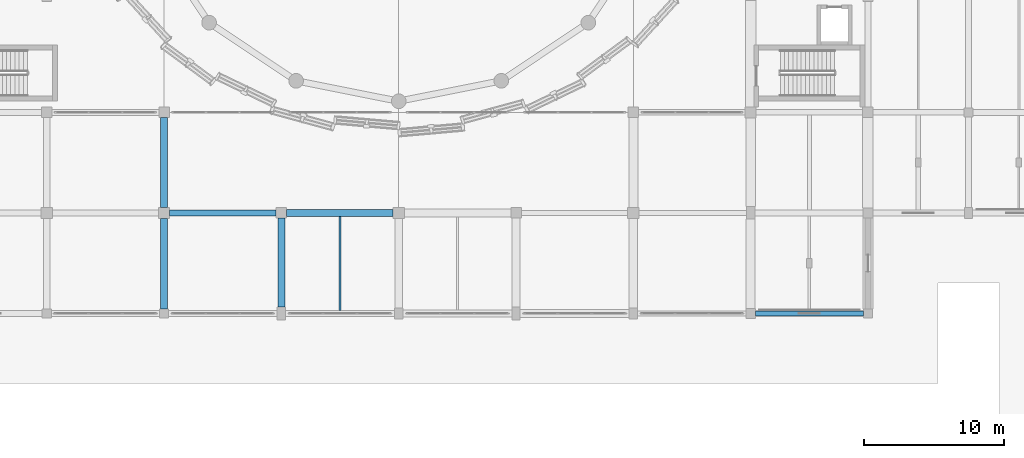
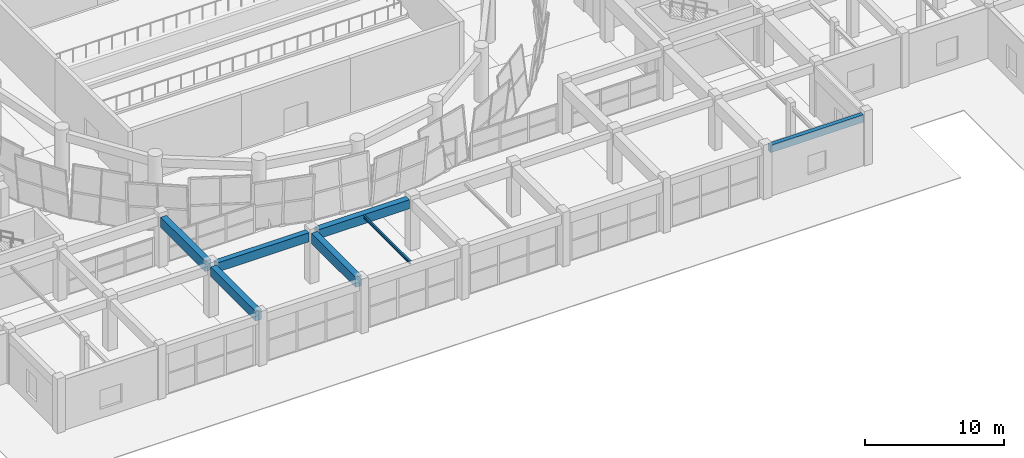
# One storey, part 18 of 72: 7 beams.
"""IFC4 building model written with IfcOpenShell, lengths in metres."""

import ifcopenshell
import ifcopenshell.guid

model = None  # the IFC model being written
_history = None  # IfcOwnerHistory: only IFC2X3 demands one
_inside = {}  # id of a spatial element -> (the spatial element, [elements in it])
_under = {}  # id of a project, library or spatial element -> (it, [spatial elements below it])
_declared = {}  # id of a project -> (the project, [libraries it declares])
_typed = {}  # id of a type object -> (the type object, [elements of that type])
_made_of = {}  # id of a material, layer set ... -> (it, [elements and type objects made of it])


def new_model(schema):
    """Start an empty IFC model of exactly this schema.

    Asked for "IFC4X3", IfcOpenShell would pick the latest addendum, in which some entities
    have other attributes; the version numbers below select the first issue.
    IFC2X3 requires an IfcOwnerHistory on every rooted entity: one is made here for all.
    """
    global model, _history
    if schema == "IFC4X3":
        model = ifcopenshell.file(schema_version=(4, 3, 0, 0))
    else:
        model = ifcopenshell.file(schema=schema)
    _inside.clear()
    _under.clear()
    _declared.clear()
    _typed.clear()
    _made_of.clear()
    _history = None
    if model.schema == "IFC2X3":
        org = make("IfcOrganization", Name="unknown")
        user = make(
            "IfcPersonAndOrganization",
            ThePerson=make("IfcPerson", FamilyName="unknown"),
            TheOrganization=org,
        )
        app = make(
            "IfcApplication",
            ApplicationDeveloper=org,
            Version="unknown",
            ApplicationFullName="unknown",
            ApplicationIdentifier="unknown",
        )
        _history = make(
            "IfcOwnerHistory",
            OwningUser=user,
            OwningApplication=app,
            ChangeAction="ADDED",
            CreationDate=0,
        )
    return model


def make(cls, **values):
    """One entity of the class cls with the attributes given. An attribute that is None is left unset."""
    return model.create_entity(
        cls, **{name: value for name, value in values.items() if value is not None}
    )


def rooted(cls, **values):
    """An entity with a GlobalId (a new one), such as an element, a storey or a relation."""
    return make(cls, GlobalId=ifcopenshell.guid.new(), OwnerHistory=_history, **values)


def si_unit(unit_type, name, prefix=None):
    """IfcSIUnit, for example si_unit("LENGTHUNIT", "METRE", prefix="MILLI")."""
    return make("IfcSIUnit", UnitType=unit_type, Prefix=prefix, Name=name)


def assignment(units):
    """IfcUnitAssignment: the units of a project."""
    return None if units is None else make("IfcUnitAssignment", Units=units)


def point(xyz):
    """IfcCartesianPoint."""
    return None if xyz is None else make("IfcCartesianPoint", Coordinates=xyz)


def direction(xyz):
    """IfcDirection."""
    return None if xyz is None else make("IfcDirection", DirectionRatios=xyz)


def frame(location, z_axis=None, x_axis=None):
    """IfcAxis2Placement3D, a coordinate frame: its origin and axes. An axis left out is left unset."""
    return make(
        "IfcAxis2Placement3D",
        Location=point(location),
        Axis=direction(z_axis),
        RefDirection=direction(x_axis),
    )


def frame_2d(location, x_axis=None):
    """IfcAxis2Placement2D, a coordinate frame in the plane: its origin and x axis."""
    return make(
        "IfcAxis2Placement2D", Location=point(location), RefDirection=direction(x_axis)
    )


def origin():
    """The frame at (0, 0, 0) with its axes left unset."""
    return frame((0.0, 0.0, 0.0))


def origin_2d():
    """The frame at (0, 0) in the plane with its x axis left unset."""
    return frame_2d((0.0, 0.0))


def place(relative_to, where):
    """IfcLocalPlacement: puts the frame where relative to a parent placement (None: the world)."""
    return make(
        "IfcLocalPlacement", PlacementRelTo=relative_to, RelativePlacement=where
    )


def context(
    kind, dimensions, precision=None, world=None, true_north=None, identifier=None
):
    """IfcGeometricRepresentationContext, for example the 3D "Model" context."""
    return make(
        "IfcGeometricRepresentationContext",
        ContextIdentifier=identifier,
        ContextType=kind,
        CoordinateSpaceDimension=dimensions,
        Precision=precision,
        WorldCoordinateSystem=world,
        TrueNorth=true_north,
    )


def subcontext(parent, identifier, kind, view, scale=None):
    """IfcGeometricRepresentationSubContext, for example "Body" below "Model"."""
    return make(
        "IfcGeometricRepresentationSubContext",
        ContextIdentifier=identifier,
        ContextType=kind,
        ParentContext=parent,
        TargetScale=scale,
        TargetView=view,
    )


def project(units=None, contexts=None):
    """IfcProject with its units and contexts."""
    return rooted(
        "IfcProject",
        Name="project",
        RepresentationContexts=contexts,
        UnitsInContext=assignment(units),
    )


def spatial(cls, under=None, at=None, **own):
    """A site, building, storey or space (cls), placed at a placement, below another one or the project."""
    s = rooted(cls, ObjectPlacement=at, **own)
    if under is not None:
        _under.setdefault(under.id(), (under, []))[1].append(s)
    return s


def profile(cls, at=None, kind="AREA", **sizes):
    """A parametric profile (cls). Its sizes go by their IFC names, for example OverallWidth=200.0."""
    return make(cls, ProfileType=kind, Position=at, **sizes)


def rectangle(**sizes):
    """IfcRectangleProfileDef."""
    return profile("IfcRectangleProfileDef", **sizes)


def i_section(**sizes):
    """IfcIShapeProfileDef."""
    return profile("IfcIShapeProfileDef", **sizes)


def extrude(swept, where, along, depth):
    """IfcExtrudedAreaSolid: the profile swept, set in the frame where, extruded along a direction by depth."""
    return make(
        "IfcExtrudedAreaSolid",
        SweptArea=swept,
        Position=where,
        ExtrudedDirection=direction(along),
        Depth=depth,
    )


def shape(context_of_items, identifier, shape_type, items):
    """IfcShapeRepresentation: the items that make up one representation, for example the "Body"."""
    return make(
        "IfcShapeRepresentation",
        ContextOfItems=context_of_items,
        RepresentationIdentifier=identifier,
        RepresentationType=shape_type,
        Items=items,
    )


def material(Name=None, Category=None):
    """IfcMaterial."""
    return make("IfcMaterial", Name=Name, Category=Category)


def material_profile(
    of_material, cross_section, Name=None, Category=None, Priority=None
):
    """IfcMaterialProfile: a cross section and its material."""
    return make(
        "IfcMaterialProfile",
        Name=Name,
        Material=of_material,
        Profile=cross_section,
        Priority=Priority,
        Category=Category,
    )


def profile_set(profiles, Name=None, composite=None):
    """IfcMaterialProfileSet."""
    return make(
        "IfcMaterialProfileSet",
        Name=Name,
        MaterialProfiles=profiles,
        CompositeProfile=composite,
    )


def made_of(thing, what):
    """Note that an element or type object is made of a material, layer set ...; save() writes the relation."""
    if what is not None:
        _made_of.setdefault(what.id(), (what, []))[1].append(thing)
    return thing


def type_object(cls, material=None, **own):
    """A type object (cls), such as IfcWallType, which elements share."""
    return made_of(rooted(cls, **own), material)


def element(
    cls,
    number,
    at=None,
    inside=None,
    cuts=None,
    type_object=None,
    material=None,
    context=None,
    identifier="Body",
    shape_type=None,
    held_by="IfcProductDefinitionShape",
    body=None,
    shapes=None,
    **own,
):
    """One element of the class cls, such as IfcWall. Its Tag is "e" and its number.

    at: its placement. inside: the storey or other place that contains it. cuts: it is an
    opening in that element (IfcRelVoidsElement). A single representation is given by context,
    identifier, shape_type and body (its items); several are given by shapes. held_by: the class
    of the entity that holds the representations. save() writes the other relations.
    """
    e = rooted(cls, Tag="e%d" % number, ObjectPlacement=at, **own)
    if body is not None:
        shapes = [shape(context, identifier, shape_type, body)]
    if shapes is not None:
        e.Representation = make(held_by, Representations=shapes)
    if inside is not None:
        _inside.setdefault(inside.id(), (inside, []))[1].append(e)
    if cuts is not None:
        rooted(
            "IfcRelVoidsElement", RelatingBuildingElement=cuts, RelatedOpeningElement=e
        )
    if type_object is not None:
        _typed.setdefault(type_object.id(), (type_object, []))[1].append(e)
    return made_of(e, material)


def aggregate(whole, parts):
    """IfcRelAggregates: a whole, such as a stair, and the parts it consists of."""
    return rooted("IfcRelAggregates", RelatingObject=whole, RelatedObjects=parts)


def save(model, path):
    """Write the relations noted so far, then the file.

    IfcRelAggregates (storeys below a building ...), IfcRelContainedInSpatialStructure (elements
    in a storey), IfcRelDefinesByType, IfcRelAssociatesMaterial and IfcRelDeclares: one each for
    every whole, place, type object, material and project.
    """
    for whole, parts in _under.values():
        aggregate(whole, parts)
    for where, things in _inside.values():
        rooted(
            "IfcRelContainedInSpatialStructure",
            RelatedElements=things,
            RelatingStructure=where,
        )
    for kind, things in _typed.values():
        rooted("IfcRelDefinesByType", RelatedObjects=things, RelatingType=kind)
    for what, things in _made_of.values():
        rooted("IfcRelAssociatesMaterial", RelatedObjects=things, RelatingMaterial=what)
    for by, libraries in _declared.values():
        rooted("IfcRelDeclares", RelatingContext=by, RelatedDefinitions=libraries)
    model.write(path)


model = new_model("IFC4")

# Units and contexts
model_context = context("Model", 3, precision=1e-05, world=origin(), true_north=direction((0.0, 1.0)))
body_context = subcontext(model_context, "Body", "Model", "MODEL_VIEW")
ifc_project = project(units=[si_unit("LENGTHUNIT", "METRE"), si_unit("AREAUNIT", "SQUARE_METRE"), si_unit("VOLUMEUNIT", "CUBIC_METRE"), si_unit("PLANEANGLEUNIT", "RADIAN"), si_unit("MASSUNIT", "GRAM", prefix="KILO")], contexts=[model_context])

# Site, building, storey
site_placement = place(None, origin())
site = spatial("IfcSite", under=ifc_project, at=site_placement, CompositionType="ELEMENT")
building_placement = place(site_placement, origin())
building = spatial("IfcBuilding", under=site, at=building_placement, Name="Korsvaeld Concert Hall", CompositionType="ELEMENT")
storey_placement = place(building_placement, origin())
storey = spatial("IfcBuildingStorey", under=building, at=storey_placement, Name="L00", CompositionType="ELEMENT", Elevation=0.0)

# Beams
ifc_material_1 = material(Name="Concrete C35/45", Category="concrete")
ifc_material_profile_1 = material_profile(ifc_material_1, rectangle(XDim=0.35009765625, YDim=0.64990234375, at=origin_2d()), Name="RC 350x650")
ifc_profile_set_1 = profile_set([ifc_material_profile_1], Name="Concrete C35/45")
beam_type_1 = type_object("IfcBeamType", Name="BM-RC-350x650", PredefinedType="T_BEAM", material=ifc_profile_set_1)
beam_1_placement = place(storey_placement, frame((109.550048828125, 28.800048828125, 4.114990234375), z_axis=(1.0, 0.0, 0.0), x_axis=(0.0, 1.0, 0.0)))
element("IfcBeam", 1, at=beam_1_placement, inside=storey, type_object=beam_type_1, Name="Primary girder 15-16/E L00", PredefinedType="T_BEAM", context=body_context, shape_type="SweptSolid", body=[
    extrude(rectangle(XDim=0.35009765625, YDim=0.64990234375, at=origin_2d()), origin(), (0.0, 0.0, 1.0), 7.724853515625),
])
ifc_material_profile_2 = material_profile(ifc_material_1, rectangle(XDim=0.449951171875, YDim=0.800048828125, at=origin_2d()), Name="RC 450x800")
ifc_profile_set_2 = profile_set([ifc_material_profile_2], Name="Concrete C35/45")
beam_type_2 = type_object("IfcBeamType", Name="BM-RC-450x800", PredefinedType="T_BEAM", material=ifc_profile_set_2)
beam_2_placement = place(storey_placement, frame((67.60009765625, 36.0, 4.0400390625), z_axis=(1.0, 0.0, 0.0), x_axis=(0.0, 1.0, 0.0)))
element("IfcBeam", 2, at=beam_2_placement, inside=storey, type_object=beam_type_2, Name="Primary girder 10-11/F L00", PredefinedType="T_BEAM", context=body_context, shape_type="SweptSolid", body=[
    extrude(rectangle(XDim=0.449951171875, YDim=0.800048828125, at=origin_2d()), origin(), (0.0, 0.0, 1.0), 7.625),
])
ifc_material_2 = material(Name="Concrete C40/50", Category="concrete")
ifc_material_profile_3 = material_profile(ifc_material_2, rectangle(XDim=0.5, YDim=0.800048828125, at=origin_2d()), Name="RC 500x800")
ifc_profile_set_3 = profile_set([ifc_material_profile_3], Name="Concrete C40/50")
beam_type_3 = type_object("IfcBeamType", Name="BM-RC-500x800", PredefinedType="T_BEAM", material=ifc_profile_set_3)
beam_3_placement = place(storey_placement, frame((75.97509765625, 36.0, 4.0400390625), z_axis=(1.0, 0.0, 0.0), x_axis=(0.0, 1.0, 0.0)))
element("IfcBeam", 3, at=beam_3_placement, inside=storey, type_object=beam_type_3, Name="Primary girder 11-12/F L00", PredefinedType="T_BEAM", context=body_context, shape_type="SweptSolid", body=[
    extrude(rectangle(XDim=0.5, YDim=0.800048828125, at=origin_2d()), origin(), (0.0, 0.0, 1.0), 7.625),
])
ifc_material_profile_4 = material_profile(ifc_material_2, rectangle(XDim=0.5, YDim=0.85009765625, at=origin_2d()), Name="RC 500x850")
ifc_profile_set_4 = profile_set([ifc_material_profile_4], Name="Concrete C40/50")
beam_type_4 = type_object("IfcBeamType", Name="BM-RC-500x850", PredefinedType="T_BEAM", material=ifc_profile_set_4)
beam_4_placement = place(storey_placement, frame((67.199951171875, 29.125, 4.014892578125), z_axis=(0.0, 1.0, 0.0), x_axis=(-1.0, 0.0, 0.0)))
element("IfcBeam", 4, at=beam_4_placement, inside=storey, type_object=beam_type_4, Name="Primary girder 10/E-F L00", PredefinedType="T_BEAM", context=body_context, shape_type="SweptSolid", body=[
    extrude(rectangle(XDim=0.5, YDim=0.85009765625, at=origin_2d()), origin(), (0.0, 0.0, 1.0), 6.47509765625),
])
ifc_material_profile_5 = material_profile(ifc_material_2, rectangle(XDim=0.5, YDim=0.89990234375, at=origin_2d()), Name="RC 500x900")
ifc_profile_set_5 = profile_set([ifc_material_profile_5], Name="Concrete C40/50")
beam_type_5 = type_object("IfcBeamType", Name="BM-RC-500x900", PredefinedType="T_BEAM", material=ifc_profile_set_5)
beam_5_placement = place(storey_placement, frame((67.199951171875, 36.39990234375, 3.989990234375), z_axis=(0.0, 1.0, 0.0), x_axis=(-1.0, 0.0, 0.0)))
element("IfcBeam", 5, at=beam_5_placement, inside=storey, type_object=beam_type_5, Name="Primary girder 10/F-G L00", PredefinedType="T_BEAM", context=body_context, shape_type="SweptSolid", body=[
    extrude(rectangle(XDim=0.5, YDim=0.89990234375, at=origin_2d()), origin(), (0.0, 0.0, 1.0), 6.425048828125),
])
beam_6_placement = place(storey_placement, frame((75.60009765625, 29.25, 3.989990234375), z_axis=(0.0, 1.0, 0.0), x_axis=(-1.0, 0.0, 0.0)))
element("IfcBeam", 6, at=beam_6_placement, inside=storey, type_object=beam_type_5, Name="Primary girder 11/E-F L00", PredefinedType="T_BEAM", context=body_context, shape_type="SweptSolid", body=[
    extrude(rectangle(XDim=0.5, YDim=0.89990234375, at=origin_2d()), origin(), (0.0, 0.0, 1.0), 6.375),
])
ifc_material_3 = material(Name="Steel S355J2", Category="steel")
ifc_material_profile_6 = material_profile(ifc_material_3, i_section(OverallWidth=0.135009765625, OverallDepth=0.27001953125, WebThickness=0.006591796875, FlangeThickness=0.01025390625, FilletRadius=0.014892578125, at=origin_2d()), Name="IPE 270")
ifc_profile_set_6 = profile_set([ifc_material_profile_6], Name="Steel S355J2")
beam_type_6 = type_object("IfcBeamType", Name="BM-STL-IPE270", PredefinedType="JOIST", material=ifc_profile_set_6)
beam_7_placement = place(storey_placement, frame((79.800048828125, 29.02490234375, 4.304931640625), z_axis=(0.0, 1.0, 0.0), x_axis=(-1.0, 0.0, 0.0)))
element("IfcBeam", 7, at=beam_7_placement, inside=storey, type_object=beam_type_6, Name="Secondary steel floor beam 11-12/E L00", PredefinedType="JOIST", context=body_context, shape_type="SweptSolid", body=[
    extrude(i_section(OverallWidth=0.135009765625, OverallDepth=0.27001953125, WebThickness=0.006591796875, FlangeThickness=0.01025390625, FilletRadius=0.014892578125, at=origin_2d()), origin(), (0.0, 0.0, 1.0), 6.72509765625),
])

save(model, "model.ifc")
